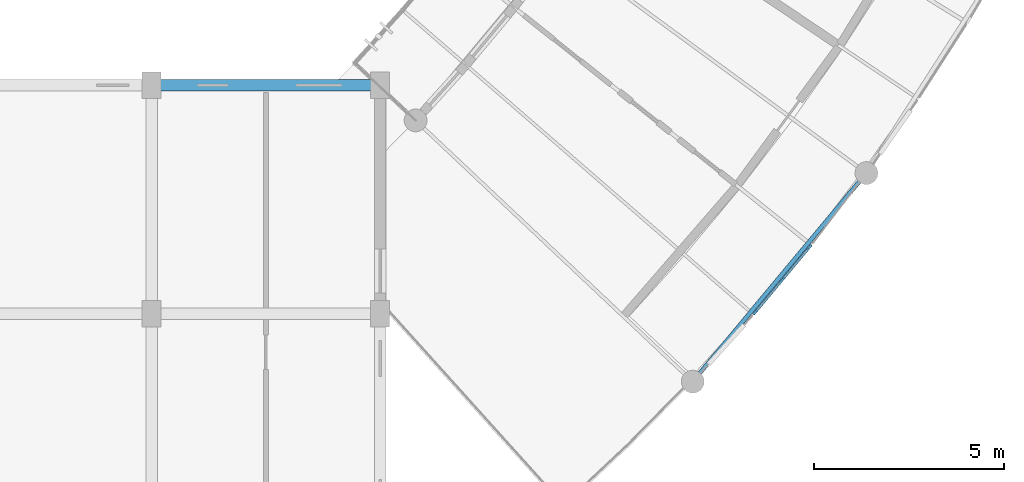
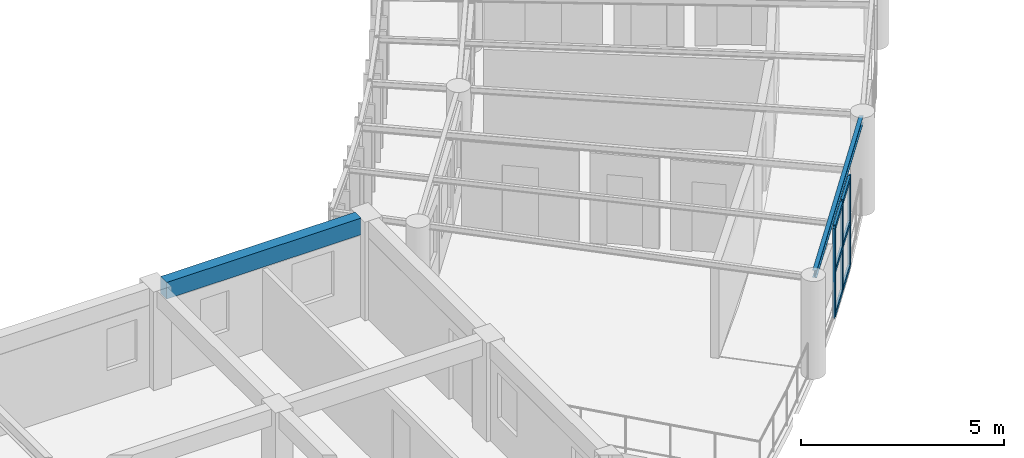
# One storey, part 11 of 101: 9 members, 2 beams, 1 element without a shape of its own.
"""IFC4 building model written with IfcOpenShell, lengths in metres."""

from ifc_helpers import new_model, si_unit, direction, frame, origin, origin_2d, place, context, subcontext, project, spatial, rectangle, i_section, extrude, material, layer, layer_set, material_profile, profile_set, type_object, element, aggregate, save


model = new_model("IFC4")

# Units and contexts
model_context = context("Model", 3, precision=1e-05, world=origin(), true_north=direction((0.0, 1.0)))
body_context = subcontext(model_context, "Body", "Model", "MODEL_VIEW")
ifc_project = project(units=[si_unit("LENGTHUNIT", "METRE"), si_unit("AREAUNIT", "SQUARE_METRE"), si_unit("VOLUMEUNIT", "CUBIC_METRE"), si_unit("PLANEANGLEUNIT", "RADIAN"), si_unit("MASSUNIT", "GRAM", prefix="KILO"), si_unit("POWERUNIT", "WATT"), si_unit("THERMODYNAMICTEMPERATUREUNIT", "KELVIN")], contexts=[model_context])

# Site, building, storey
site_placement = place(None, origin())
site = spatial("IfcSite", under=ifc_project, at=site_placement, CompositionType="ELEMENT")
building_placement = place(site_placement, origin())
building = spatial("IfcBuilding", under=site, at=building_placement, Name="Ruvembo Vaulted Housing Court", CompositionType="ELEMENT")
storey_placement = place(building_placement, frame((0.0, 0.0, 17.300048828125)))
storey = spatial("IfcBuildingStorey", under=building, at=storey_placement, Name="L05", CompositionType="ELEMENT", Elevation=17.300048828125)

# Beam
ifc_material_1 = material(Name="Steel S355J2", Category="steel")
ifc_material_profile_1 = material_profile(ifc_material_1, i_section(OverallWidth=0.110107421875, OverallDepth=0.219970703125, WebThickness=0.005859375, FlangeThickness=0.00927734375, FilletRadius=0.011962890625, at=origin_2d()), Name="IPE 220")
ifc_profile_set_1 = profile_set([ifc_material_profile_1], Name="Steel S355J2")
beam_type_1 = type_object("IfcBeamType", Name="BM-ST-IPE220", PredefinedType="SPANDREL", material=ifc_profile_set_1)
beam_1_placement = place(storey_placement, frame((44.329345703125, 34.365234375, 2.823974609375), z_axis=(0.639863961102, 0.768488198532, 0.0), x_axis=(-0.768488198532, 0.639863961102, 0.0)))
element("IfcBeam", 1, at=beam_1_placement, inside=storey, type_object=beam_type_1, Name="Scoop SC1 L05 Chord Girder B0", PredefinedType="SPANDREL", context=body_context, shape_type="SweptSolid", body=[
    extrude(i_section(OverallWidth=0.110107421875, OverallDepth=0.219970703125, WebThickness=0.005859375, FlangeThickness=0.00927734375, FilletRadius=0.011962890625, at=origin_2d()), origin(), (0.0, 0.0, 1.0), 6.745849609375),
])

# Curtain wall, members
ifc_material_2 = material(Name="Anodised Aluminium and Solar-Control Glass", Category="aluminium")
ifc_layer = layer(ifc_material_2, 0.1201171875, Name="Anodised Aluminium and Solar-Control Glass")
ifc_layer_set = layer_set([ifc_layer], Name="Anodised Aluminium and Solar-Control Glass")
curtain_wall_type = type_object("IfcCurtainWallType", Name="CW-SCOOP-GAL", PredefinedType="NOTDEFINED", material=ifc_layer_set)
curtain_wall_placement = place(storey_placement, origin())
curtain_wall = element("IfcCurtainWall", 2, at=curtain_wall_placement, inside=storey, type_object=curtain_wall_type, Name="L05 Curtain Wall CW-L05-0025", PredefinedType="NOTDEFINED")
ifc_material_3 = material(Name="Anodised Aluminium 6063-T6", Category="aluminium")
ifc_material_profile_2 = material_profile(ifc_material_3, rectangle(XDim=0.06005859375, YDim=0.159912109375, at=origin_2d()), Name="ALU 60x160")
ifc_profile_set_2 = profile_set([ifc_material_profile_2], Name="Anodised Aluminium 6063-T6")
member_type_1 = type_object("IfcMemberType", Name="CW-MULLION-65x150", PredefinedType="MULLION", material=ifc_profile_set_2)
member_1_placement = place(storey_placement, frame((45.853271484375, 36.043212890625, 0.0), z_axis=(0.0, 0.0, 1.0), x_axis=(-0.768484050303, 0.639868943167, 0.0)))
member_1 = element("IfcMember", 3, at=member_1_placement, type_object=member_type_1, Name="CW6 mullion 1", PredefinedType="MULLION", context=body_context, shape_type="SweptSolid", body=[
    extrude(rectangle(XDim=0.06005859375, YDim=0.159912109375, at=origin_2d()), origin(), (0.0, 0.0, 1.0), 2.68994140625),
])
member_2_placement = place(storey_placement, frame((46.562255859375, 36.89501953125, 0.0), z_axis=(0.0, 0.0, 1.0), x_axis=(-0.768484050303, 0.639868943167, 0.0)))
member_2 = element("IfcMember", 4, at=member_2_placement, type_object=member_type_1, Name="CW6 mullion 2", PredefinedType="MULLION", context=body_context, shape_type="SweptSolid", body=[
    extrude(rectangle(XDim=0.06005859375, YDim=0.159912109375, at=origin_2d()), origin(), (0.0, 0.0, 1.0), 2.68994140625),
])
member_3_placement = place(storey_placement, frame((47.271484375, 37.74658203125, 0.0), z_axis=(0.0, 0.0, 1.0), x_axis=(-0.768484050303, 0.639868943167, 0.0)))
member_3 = element("IfcMember", 5, at=member_3_placement, type_object=member_type_1, Name="CW6 mullion 3", PredefinedType="MULLION", context=body_context, shape_type="SweptSolid", body=[
    extrude(rectangle(XDim=0.06005859375, YDim=0.159912109375, at=origin_2d()), origin(), (0.0, 0.0, 1.0), 2.68994140625),
])
ifc_material_profile_3 = material_profile(ifc_material_3, rectangle(XDim=0.06494140625, YDim=0.135009765625, at=origin_2d()), Name="ALU 65x135")
ifc_profile_set_3 = profile_set([ifc_material_profile_3], Name="Anodised Aluminium 6063-T6")
member_type_2 = type_object("IfcMemberType", Name="CW-TRN-65x135", PredefinedType="USERDEFINED", material=ifc_profile_set_3)
member_4_placement = place(storey_placement, frame((45.872314453125, 36.06640625, 0.032470703125), z_axis=(0.640024024625, 0.768354897103, 0.0), x_axis=(-0.768354897103, 0.640024024625, 0.0)))
member_4 = element("IfcMember", 6, at=member_4_placement, type_object=member_type_2, Name="CW6 transom 1.1", ObjectType="TRANSOM", PredefinedType="USERDEFINED", context=body_context, shape_type="SweptSolid", body=[
    extrude(rectangle(XDim=0.06494140625, YDim=0.135009765625, at=origin_2d()), origin(), (0.0, 0.0, 1.0), 1.04833984375),
])
member_5_placement = place(storey_placement, frame((45.872314453125, 36.06640625, 1.344970703125), z_axis=(0.640024024625, 0.768354897103, 0.0), x_axis=(-0.768354897103, 0.640024024625, 0.0)))
member_5 = element("IfcMember", 7, at=member_5_placement, type_object=member_type_2, Name="CW6 transom 1.2", ObjectType="TRANSOM", PredefinedType="USERDEFINED", context=body_context, shape_type="SweptSolid", body=[
    extrude(rectangle(XDim=0.06494140625, YDim=0.135009765625, at=origin_2d()), origin(), (0.0, 0.0, 1.0), 1.04833984375),
])
member_6_placement = place(storey_placement, frame((45.872314453125, 36.06640625, 2.657470703125), z_axis=(0.640024024625, 0.768354897103, 0.0), x_axis=(-0.768354897103, 0.640024024625, 0.0)))
member_6 = element("IfcMember", 8, at=member_6_placement, type_object=member_type_2, Name="CW6 transom 1.3", ObjectType="TRANSOM", PredefinedType="USERDEFINED", context=body_context, shape_type="SweptSolid", body=[
    extrude(rectangle(XDim=0.06494140625, YDim=0.135009765625, at=origin_2d()), origin(), (0.0, 0.0, 1.0), 1.04833984375),
])
member_7_placement = place(storey_placement, frame((46.58154296875, 36.91796875, 0.032470703125), z_axis=(0.639771962699, 0.768564789555, 0.0), x_axis=(-0.768564789555, 0.639771962699, 0.0)))
member_7 = element("IfcMember", 9, at=member_7_placement, type_object=member_type_2, Name="CW6 transom 2.1", ObjectType="TRANSOM", PredefinedType="USERDEFINED", context=body_context, shape_type="SweptSolid", body=[
    extrude(rectangle(XDim=0.06494140625, YDim=0.135009765625, at=origin_2d()), origin(), (0.0, 0.0, 1.0), 1.04833984375),
])
member_8_placement = place(storey_placement, frame((46.58154296875, 36.91796875, 1.344970703125), z_axis=(0.639771962699, 0.768564789555, 0.0), x_axis=(-0.768564789555, 0.639771962699, 0.0)))
member_8 = element("IfcMember", 10, at=member_8_placement, type_object=member_type_2, Name="CW6 transom 2.2", ObjectType="TRANSOM", PredefinedType="USERDEFINED", context=body_context, shape_type="SweptSolid", body=[
    extrude(rectangle(XDim=0.06494140625, YDim=0.135009765625, at=origin_2d()), origin(), (0.0, 0.0, 1.0), 1.04833984375),
])
member_9_placement = place(storey_placement, frame((46.58154296875, 36.91796875, 2.657470703125), z_axis=(0.639771962699, 0.768564789555, 0.0), x_axis=(-0.768564789555, 0.639771962699, 0.0)))
member_9 = element("IfcMember", 11, at=member_9_placement, type_object=member_type_2, Name="CW6 transom 2.3", ObjectType="TRANSOM", PredefinedType="USERDEFINED", context=body_context, shape_type="SweptSolid", body=[
    extrude(rectangle(XDim=0.06494140625, YDim=0.135009765625, at=origin_2d()), origin(), (0.0, 0.0, 1.0), 1.04833984375),
])
aggregate(curtain_wall, [member_1, member_2, member_3, member_4, member_5, member_6, member_7, member_8, member_9])

# Beam
ifc_material_4 = material(Name="Concrete C35/45", Category="concrete")
ifc_material_profile_4 = material_profile(ifc_material_4, rectangle(XDim=0.300048828125, YDim=0.5, at=origin_2d()), Name="RC 300x500")
ifc_profile_set_4 = profile_set([ifc_material_profile_4], Name="Concrete C35/45")
beam_type_2 = type_object("IfcBeamType", Name="SP-RC-300x500", PredefinedType="SPANDREL", material=ifc_profile_set_4)
beam_2_placement = place(storey_placement, frame((30.235107421875, 42.0, 2.71484375), z_axis=(1.0, 0.0, 0.0), x_axis=(0.0, 1.0, 0.0)))
element("IfcBeam", 12, at=beam_2_placement, inside=storey, type_object=beam_type_2, Name="L05 Grid Beam X #2358", PredefinedType="SPANDREL", context=body_context, shape_type="SweptSolid", body=[
    extrude(rectangle(XDim=0.300048828125, YDim=0.5, at=origin_2d()), origin(), (0.0, 0.0, 1.0), 5.52978515625),
])

save(model, "model.ifc")
